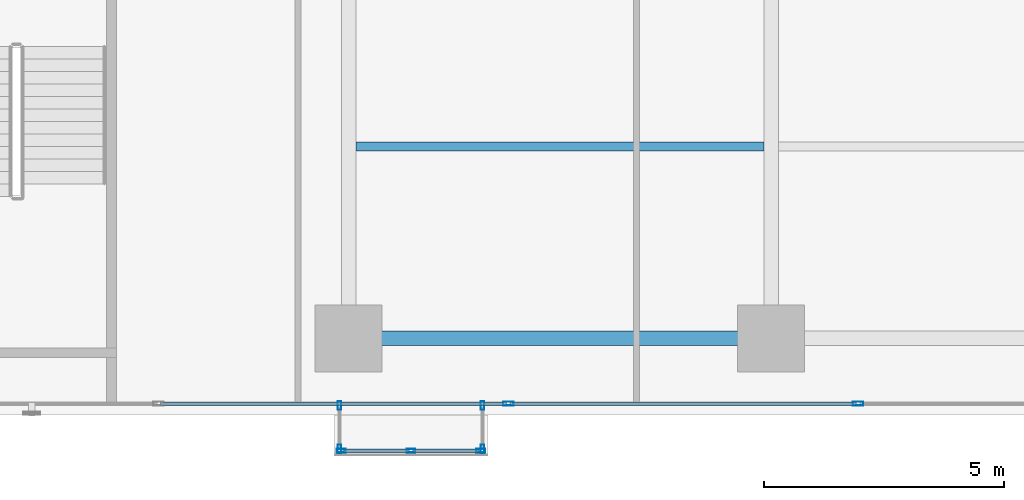
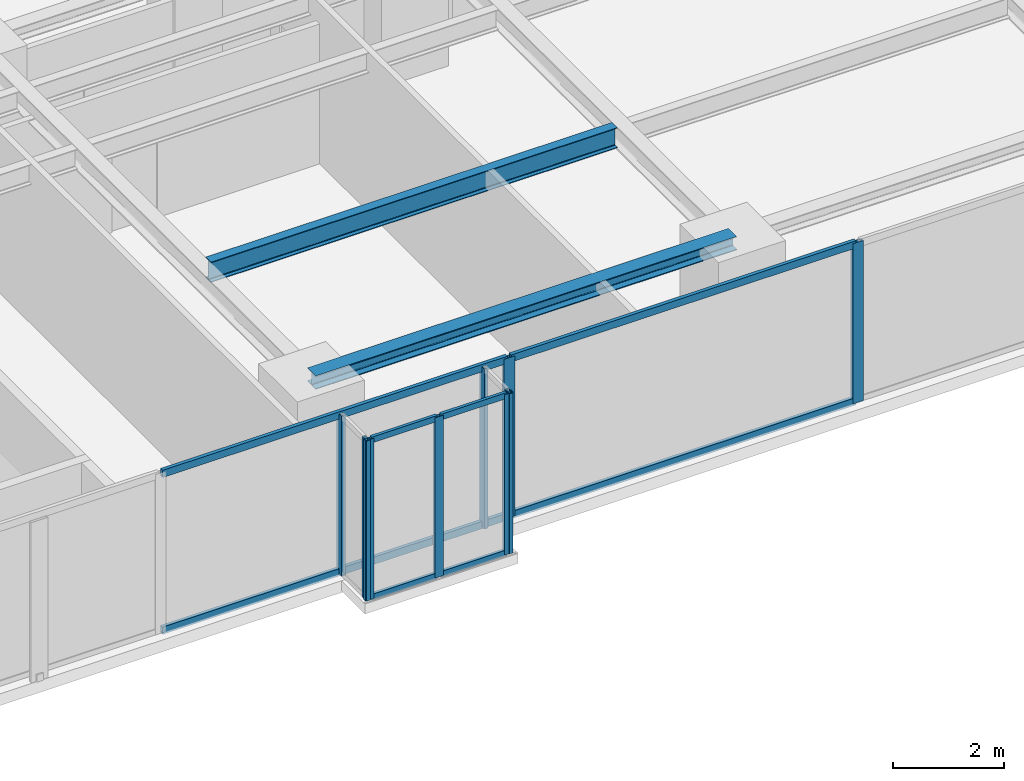
# One storey, part 11 of 28: 17 members, 2 beams, 4 elements without a shape of their own.
"""IFC4 building model written with IfcOpenShell, lengths in metres."""

from ifc_helpers import new_model, si_unit, direction, frame, origin, origin_with_axes, origin_2d, place, context, subcontext, project, spatial, hollow_rectangle, i_section, extrude, source, transform, mapped, material, layer, layer_set, material_profile, profile_set, type_object, element, aggregate, save


model = new_model("IFC4")

# Units and contexts
model_context = context("Model", 3, precision=1e-05, world=origin(), true_north=direction((0.0, 1.0)))
body_context = subcontext(model_context, "Body", "Model", "MODEL_VIEW")
ifc_project = project(units=[si_unit("LENGTHUNIT", "METRE"), si_unit("AREAUNIT", "SQUARE_METRE"), si_unit("VOLUMEUNIT", "CUBIC_METRE"), si_unit("PLANEANGLEUNIT", "RADIAN"), si_unit("MASSUNIT", "GRAM", prefix="KILO")], contexts=[model_context])

# Site, building, storey
site_placement = place(None, origin())
site = spatial("IfcSite", under=ifc_project, at=site_placement, CompositionType="ELEMENT")
building_placement = place(site_placement, origin())
building = spatial("IfcBuilding", under=site, at=building_placement, Name="Kolvaren Waterfront Exchange", CompositionType="ELEMENT")
storey_placement = place(building_placement, frame((0.0, 0.0, 133.5)))
storey = spatial("IfcBuildingStorey", under=building, at=storey_placement, Name="L34", CompositionType="ELEMENT", Elevation=133.5)

# Beams
ifc_material_1 = material(Name="Steel S355", Category="steel")
ifc_material_profile_1 = material_profile(ifc_material_1, i_section(OverallWidth=0.300048828125, OverallDepth=0.300048828125, WebThickness=0.010986328125, FlangeThickness=0.01904296875, FilletRadius=0.027099609375, at=origin_2d()), Name="HEB300")
ifc_profile_set_1 = profile_set([ifc_material_profile_1], Name="Steel S355")
beam_type_1 = type_object("IfcBeamType", Name="STR-BM-HEB300", PredefinedType="SPANDREL", material=ifc_profile_set_1)
beam_1_placement = place(storey_placement, frame((36.800048828125, 5.199951171875, 3.389892578125), z_axis=(1.0, 0.0, 0.0), x_axis=(0.0, 1.0, 0.0)))
element("IfcBeam", 1, at=beam_1_placement, inside=storey, type_object=beam_type_1, Name="L34 east-arm spandrel S3", PredefinedType="SPANDREL", context=body_context, shape_type="SweptSolid", body=[
    extrude(i_section(OverallWidth=0.300048828125, OverallDepth=0.300048828125, WebThickness=0.010986328125, FlangeThickness=0.01904296875, FilletRadius=0.027099609375, at=origin_2d()), origin(), (0.0, 0.0, 1.0), 8.800048828125),
])
ifc_material_profile_2 = material_profile(ifc_material_1, i_section(OverallWidth=0.18994140625, OverallDepth=0.449951171875, WebThickness=0.009521484375, FlangeThickness=0.0146484375, FilletRadius=0.02099609375, at=origin_2d()), Name="IPE450")
ifc_profile_set_2 = profile_set([ifc_material_profile_2], Name="Steel S355")
beam_type_2 = type_object("IfcBeamType", Name="STR-BM-IPE450", PredefinedType="JOIST", material=ifc_profile_set_2)
beam_2_placement = place(storey_placement, frame((36.951904296875, 9.199951171875, 3.31494140625), z_axis=(1.0, 0.0, 0.0), x_axis=(0.0, 1.0, 0.0)))
element("IfcBeam", 2, at=beam_2_placement, inside=storey, type_object=beam_type_2, Name="L34 east-arm composite joist 3B", PredefinedType="JOIST", context=body_context, shape_type="SweptSolid", body=[
    extrude(i_section(OverallWidth=0.18994140625, OverallDepth=0.449951171875, WebThickness=0.009521484375, FlangeThickness=0.0146484375, FilletRadius=0.02099609375, at=origin_2d()), origin(), (0.0, 0.0, 1.0), 8.49609375),
])

# Curtain wall, members
ifc_material_2 = material(Name="Anodised bronze aluminium 6063-T6", Category="aluminium")
ifc_layer_1 = layer(ifc_material_2, 0.219970703125, Name="Anodised bronze aluminium 6063-T6")
ifc_layer_set_1 = layer_set([ifc_layer_1], Name="Anodised bronze aluminium 6063-T6")
curtain_wall_type_1 = type_object("IfcCurtainWallType", Name="ARC-CW-SYS3", PredefinedType="USERDEFINED", material=ifc_layer_set_1)
curtain_wall_1_placement = place(storey_placement, origin())
curtain_wall_1 = element("IfcCurtainWall", 3, at=curtain_wall_1_placement, inside=storey, type_object=curtain_wall_type_1, Name="L34 stick curtain wall CW3 (CW-L34-BOX-W)", ObjectType="STICK CURTAIN WALL", PredefinedType="USERDEFINED")
ifc_material_profile_3 = material_profile(ifc_material_2, hollow_rectangle(XDim=0.074951171875, YDim=0.179931640625, WallThickness=0.00439453125, at=origin_2d()), Name="ALU-MUL-180x75x4.5")
ifc_profile_set_3 = profile_set([ifc_material_profile_3], Name="Anodised bronze aluminium 6063-T6")
member_type_1 = type_object("IfcMemberType", Name="ARC-CWM-180", PredefinedType="MULLION", material=ifc_profile_set_3)
shared_shape_1 = source(origin_with_axes(), body_context, "Body", "SweptSolid", [
    extrude(hollow_rectangle(XDim=0.074951171875, YDim=0.179931640625, WallThickness=0.00439453125, at=origin_2d()), origin(), (0.0, 0.0, 1.0), 3.5400390625),
])
member_1_placement = place(storey_placement, frame((36.610107421875, 3.802490234375, 0.0), z_axis=(0.0, 0.0, 1.0), x_axis=(1.0, 0.0, 0.0)))
member_1 = element("IfcMember", 4, at=member_1_placement, type_object=member_type_1, Name="CW3 mullion 1", PredefinedType="MULLION", context=body_context, shape_type="MappedRepresentation", body=[
    mapped(shared_shape_1, transform((0.0, 0.0, 0.0), x_axis=(1.0, 0.0, 0.0), y_axis=(0.0, 1.0, 0.0), z_axis=(0.0, 0.0, 1.0), scale=1.0)),
])
member_2_placement = place(storey_placement, frame((36.610107421875, 2.8974609375, 0.0), z_axis=(0.0, 0.0, 1.0), x_axis=(1.0, 0.0, 0.0)))
member_2 = element("IfcMember", 5, at=member_2_placement, type_object=member_type_1, Name="CW3 mullion 2", PredefinedType="MULLION", context=body_context, shape_type="MappedRepresentation", body=[
    mapped(shared_shape_1, transform((0.0, 0.0, 0.0), x_axis=(1.0, 0.0, 0.0), y_axis=(0.0, 1.0, 0.0), z_axis=(0.0, 0.0, 1.0), scale=1.0)),
])
aggregate(curtain_wall_1, [member_1, member_2])

curtain_wall_2_placement = place(storey_placement, origin())
curtain_wall_2 = element("IfcCurtainWall", 6, at=curtain_wall_2_placement, inside=storey, type_object=curtain_wall_type_1, Name="L34 stick curtain wall CW3 (CW-L34-BOX)", ObjectType="STICK CURTAIN WALL", PredefinedType="USERDEFINED")
member_3_placement = place(storey_placement, frame((36.6474609375, 2.860107421875, 0.0), z_axis=(0.0, 0.0, 1.0), x_axis=(0.0, 1.0, 0.0)))
member_3 = element("IfcMember", 7, at=member_3_placement, type_object=member_type_1, Name="CW3 mullion 1", PredefinedType="MULLION", context=body_context, shape_type="MappedRepresentation", body=[
    mapped(shared_shape_1, transform((0.0, 0.0, 0.0), x_axis=(1.0, 0.0, 0.0), y_axis=(0.0, 1.0, 0.0), z_axis=(0.0, 0.0, 1.0), scale=1.0)),
])
member_4_placement = place(storey_placement, frame((38.10009765625, 2.860107421875, 0.0), z_axis=(0.0, 0.0, 1.0), x_axis=(0.0, 1.0, 0.0)))
member_4 = element("IfcMember", 8, at=member_4_placement, type_object=member_type_1, Name="CW3 mullion 2", PredefinedType="MULLION", context=body_context, shape_type="MappedRepresentation", body=[
    mapped(shared_shape_1, transform((0.0, 0.0, 0.0), x_axis=(1.0, 0.0, 0.0), y_axis=(0.0, 1.0, 0.0), z_axis=(0.0, 0.0, 1.0), scale=1.0)),
])
member_5_placement = place(storey_placement, frame((39.552490234375, 2.860107421875, 0.0), z_axis=(0.0, 0.0, 1.0), x_axis=(0.0, 1.0, 0.0)))
member_5 = element("IfcMember", 9, at=member_5_placement, type_object=member_type_1, Name="CW3 mullion 3", PredefinedType="MULLION", context=body_context, shape_type="MappedRepresentation", body=[
    mapped(shared_shape_1, transform((0.0, 0.0, 0.0), x_axis=(1.0, 0.0, 0.0), y_axis=(0.0, 1.0, 0.0), z_axis=(0.0, 0.0, 1.0), scale=1.0)),
])

curtain_wall_3_placement = place(storey_placement, origin())
curtain_wall_3 = element("IfcCurtainWall", 10, at=curtain_wall_3_placement, inside=storey, type_object=curtain_wall_type_1, Name="L34 stick curtain wall CW3 (CW-L34-BOX-E)", ObjectType="STICK CURTAIN WALL", PredefinedType="USERDEFINED")
member_6_placement = place(storey_placement, frame((39.590087890625, 2.8974609375, 0.0), z_axis=(0.0, 0.0, 1.0), x_axis=(-1.0, 0.0, 0.0)))
member_6 = element("IfcMember", 11, at=member_6_placement, type_object=member_type_1, Name="CW3 mullion 1", PredefinedType="MULLION", context=body_context, shape_type="MappedRepresentation", body=[
    mapped(shared_shape_1, transform((0.0, 0.0, 0.0), x_axis=(1.0, 0.0, 0.0), y_axis=(0.0, 1.0, 0.0), z_axis=(0.0, 0.0, 1.0), scale=1.0)),
])
member_7_placement = place(storey_placement, frame((39.590087890625, 3.802490234375, 0.0), z_axis=(0.0, 0.0, 1.0), x_axis=(-1.0, 0.0, 0.0)))
member_7 = element("IfcMember", 12, at=member_7_placement, type_object=member_type_1, Name="CW3 mullion 2", PredefinedType="MULLION", context=body_context, shape_type="MappedRepresentation", body=[
    mapped(shared_shape_1, transform((0.0, 0.0, 0.0), x_axis=(1.0, 0.0, 0.0), y_axis=(0.0, 1.0, 0.0), z_axis=(0.0, 0.0, 1.0), scale=1.0)),
])
aggregate(curtain_wall_3, [member_6, member_7])

# Member
ifc_material_profile_4 = material_profile(ifc_material_2, hollow_rectangle(XDim=0.06494140625, YDim=0.1298828125, WallThickness=0.00390625, at=origin_2d()), Name="ALU-TRN-130x65x4")
ifc_profile_set_4 = profile_set([ifc_material_profile_4], Name="Anodised bronze aluminium 6063-T6")
member_type_2 = type_object("IfcMemberType", Name="ARC-CWT-130", PredefinedType="USERDEFINED", material=ifc_profile_set_4)
shared_shape_2 = source(origin_with_axes(), body_context, "Body", "SweptSolid", [
    extrude(hollow_rectangle(XDim=0.06494140625, YDim=0.1298828125, WallThickness=0.00390625, at=origin_2d()), origin(), (0.0, 0.0, 1.0), 1.37744140625),
])
member_8_placement = place(storey_placement, frame((36.68505859375, 2.860107421875, 0.032470703125), z_axis=(1.0, 0.0, 0.0), x_axis=(0.0, 1.0, 0.0)))
member_8 = element("IfcMember", 13, at=member_8_placement, type_object=member_type_2, Name="CW3 transom 1.1", ObjectType="TRANSOM", PredefinedType="USERDEFINED", context=body_context, shape_type="MappedRepresentation", body=[
    mapped(shared_shape_2, transform((0.0, 0.0, 0.0), x_axis=(1.0, 0.0, 0.0), y_axis=(0.0, 1.0, 0.0), z_axis=(0.0, 0.0, 1.0), scale=1.0)),
])

member_9_placement = place(storey_placement, frame((36.68505859375, 2.860107421875, 3.507568359375), z_axis=(1.0, 0.0, 0.0), x_axis=(0.0, 1.0, 0.0)))
member_9 = element("IfcMember", 14, at=member_9_placement, type_object=member_type_2, Name="CW3 transom 1.2", ObjectType="TRANSOM", PredefinedType="USERDEFINED", context=body_context, shape_type="MappedRepresentation", body=[
    mapped(shared_shape_2, transform((0.0, 0.0, 0.0), x_axis=(1.0, 0.0, 0.0), y_axis=(0.0, 1.0, 0.0), z_axis=(0.0, 0.0, 1.0), scale=1.0)),
])

member_10_placement = place(storey_placement, frame((38.137451171875, 2.860107421875, 0.032470703125), z_axis=(1.0, 0.0, 0.0), x_axis=(0.0, 1.0, 0.0)))
member_10 = element("IfcMember", 15, at=member_10_placement, type_object=member_type_2, Name="CW3 transom 2.1", ObjectType="TRANSOM", PredefinedType="USERDEFINED", context=body_context, shape_type="MappedRepresentation", body=[
    mapped(shared_shape_2, transform((0.0, 0.0, 0.0), x_axis=(1.0, 0.0, 0.0), y_axis=(0.0, 1.0, 0.0), z_axis=(0.0, 0.0, 1.0), scale=1.0)),
])

member_11_placement = place(storey_placement, frame((38.137451171875, 2.860107421875, 3.507568359375), z_axis=(1.0, 0.0, 0.0), x_axis=(0.0, 1.0, 0.0)))
member_11 = element("IfcMember", 16, at=member_11_placement, type_object=member_type_2, Name="CW3 transom 2.2", ObjectType="TRANSOM", PredefinedType="USERDEFINED", context=body_context, shape_type="MappedRepresentation", body=[
    mapped(shared_shape_2, transform((0.0, 0.0, 0.0), x_axis=(1.0, 0.0, 0.0), y_axis=(0.0, 1.0, 0.0), z_axis=(0.0, 0.0, 1.0), scale=1.0)),
])

aggregate(curtain_wall_2, [member_3, member_4, member_5, member_8, member_9, member_10, member_11])

# Curtain wall, members
ifc_layer_2 = layer(ifc_material_2, 0.219970703125, Name="Anodised bronze aluminium 6063-T6")
ifc_layer_set_2 = layer_set([ifc_layer_2], Name="Anodised bronze aluminium 6063-T6")
curtain_wall_type_2 = type_object("IfcCurtainWallType", Name="ARC-CW-SYS1", PredefinedType="USERDEFINED", material=ifc_layer_set_2)
curtain_wall_4_placement = place(storey_placement, origin())
curtain_wall_4 = element("IfcCurtainWall", 17, at=curtain_wall_4_placement, inside=storey, type_object=curtain_wall_type_2, Name="L34 stick curtain wall CW1 (CW-L34-S)", ObjectType="STICK CURTAIN WALL", PredefinedType="USERDEFINED")
ifc_material_3 = material(Name="Anodised aluminium 6063-T6", Category="aluminium")
ifc_material_profile_5 = material_profile(ifc_material_3, hollow_rectangle(XDim=0.080078125, YDim=0.219970703125, WallThickness=0.0048828125, at=origin_2d()), Name="ALU-MUL-220x80x5")
ifc_profile_set_5 = profile_set([ifc_material_profile_5], Name="Anodised aluminium 6063-T6")
member_type_3 = type_object("IfcMemberType", Name="ARC-CWM-220", PredefinedType="MULLION", material=ifc_profile_set_5)
shared_shape_3 = source(origin_with_axes(), body_context, "Body", "SweptSolid", [
    extrude(hollow_rectangle(XDim=0.080078125, YDim=0.219970703125, WallThickness=0.0048828125, at=origin_2d()), origin(), (0.0, 0.0, 1.0), 3.5400390625),
])
member_12_placement = place(storey_placement, frame((40.128662109375, 3.840087890625, 0.0), z_axis=(0.0, 0.0, 1.0), x_axis=(0.0, 1.0, 0.0)))
member_12 = element("IfcMember", 18, at=member_12_placement, type_object=member_type_3, Name="CW1 mullion 6", PredefinedType="MULLION", context=body_context, shape_type="MappedRepresentation", body=[
    mapped(shared_shape_3, transform((0.0, 0.0, 0.0), x_axis=(1.0, 0.0, 0.0), y_axis=(0.0, 1.0, 0.0), z_axis=(0.0, 0.0, 1.0), scale=1.0)),
])
member_13_placement = place(storey_placement, frame((47.414306640625, 3.840087890625, 0.0), z_axis=(0.0, 0.0, 1.0), x_axis=(0.0, 1.0, 0.0)))
member_13 = element("IfcMember", 19, at=member_13_placement, type_object=member_type_3, Name="CW1 mullion 7", PredefinedType="MULLION", context=body_context, shape_type="MappedRepresentation", body=[
    mapped(shared_shape_3, transform((0.0, 0.0, 0.0), x_axis=(1.0, 0.0, 0.0), y_axis=(0.0, 1.0, 0.0), z_axis=(0.0, 0.0, 1.0), scale=1.0)),
])
ifc_material_profile_6 = material_profile(ifc_material_3, hollow_rectangle(XDim=0.074951171875, YDim=0.159912109375, WallThickness=0.00439453125, at=origin_2d()), Name="ALU-TRN-160x75x4.5")
ifc_profile_set_6 = profile_set([ifc_material_profile_6], Name="Anodised aluminium 6063-T6")
member_type_4 = type_object("IfcMemberType", Name="ARC-CWT-160", PredefinedType="USERDEFINED", material=ifc_profile_set_6)
shared_shape_4 = source(origin_with_axes(), body_context, "Body", "SweptSolid", [
    extrude(hollow_rectangle(XDim=0.074951171875, YDim=0.159912109375, WallThickness=0.00439453125, at=origin_2d()), origin(), (0.0, 0.0, 1.0), 7.205810546875),
])
member_14_placement = place(storey_placement, frame((32.8828125, 3.840087890625, 0.03759765625), z_axis=(1.0, 0.0, 0.0), x_axis=(0.0, 1.0, 0.0)))
member_14 = element("IfcMember", 20, at=member_14_placement, type_object=member_type_4, Name="CW1 transom 5.1", ObjectType="TRANSOM", PredefinedType="USERDEFINED", context=body_context, shape_type="MappedRepresentation", body=[
    mapped(shared_shape_4, transform((0.0, 0.0, 0.0), x_axis=(1.0, 0.0, 0.0), y_axis=(0.0, 1.0, 0.0), z_axis=(0.0, 0.0, 1.0), scale=1.0)),
])
member_15_placement = place(storey_placement, frame((32.8828125, 3.840087890625, 3.50244140625), z_axis=(1.0, 0.0, 0.0), x_axis=(0.0, 1.0, 0.0)))
member_15 = element("IfcMember", 21, at=member_15_placement, type_object=member_type_4, Name="CW1 transom 5.2", ObjectType="TRANSOM", PredefinedType="USERDEFINED", context=body_context, shape_type="MappedRepresentation", body=[
    mapped(shared_shape_4, transform((0.0, 0.0, 0.0), x_axis=(1.0, 0.0, 0.0), y_axis=(0.0, 1.0, 0.0), z_axis=(0.0, 0.0, 1.0), scale=1.0)),
])
member_16_placement = place(storey_placement, frame((40.16845703125, 3.840087890625, 0.03759765625), z_axis=(1.0, 0.0, 0.0), x_axis=(0.0, 1.0, 0.0)))
member_16 = element("IfcMember", 22, at=member_16_placement, type_object=member_type_4, Name="CW1 transom 6.1", ObjectType="TRANSOM", PredefinedType="USERDEFINED", context=body_context, shape_type="MappedRepresentation", body=[
    mapped(shared_shape_4, transform((0.0, 0.0, 0.0), x_axis=(1.0, 0.0, 0.0), y_axis=(0.0, 1.0, 0.0), z_axis=(0.0, 0.0, 1.0), scale=1.0)),
])
member_17_placement = place(storey_placement, frame((40.16845703125, 3.840087890625, 3.50244140625), z_axis=(1.0, 0.0, 0.0), x_axis=(0.0, 1.0, 0.0)))
member_17 = element("IfcMember", 23, at=member_17_placement, type_object=member_type_4, Name="CW1 transom 6.2", ObjectType="TRANSOM", PredefinedType="USERDEFINED", context=body_context, shape_type="MappedRepresentation", body=[
    mapped(shared_shape_4, transform((0.0, 0.0, 0.0), x_axis=(1.0, 0.0, 0.0), y_axis=(0.0, 1.0, 0.0), z_axis=(0.0, 0.0, 1.0), scale=1.0)),
])
aggregate(curtain_wall_4, [member_12, member_13, member_14, member_15, member_16, member_17])

save(model, "model.ifc")
